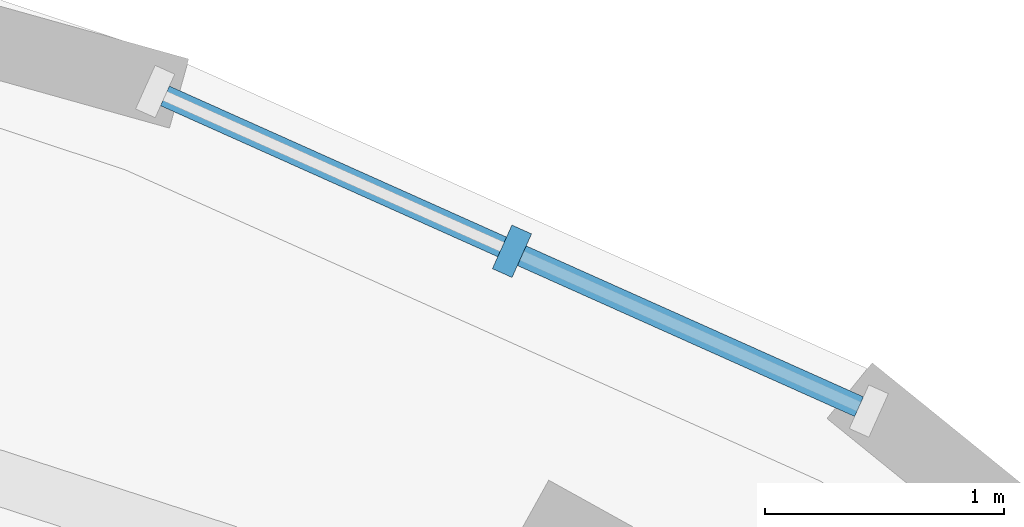
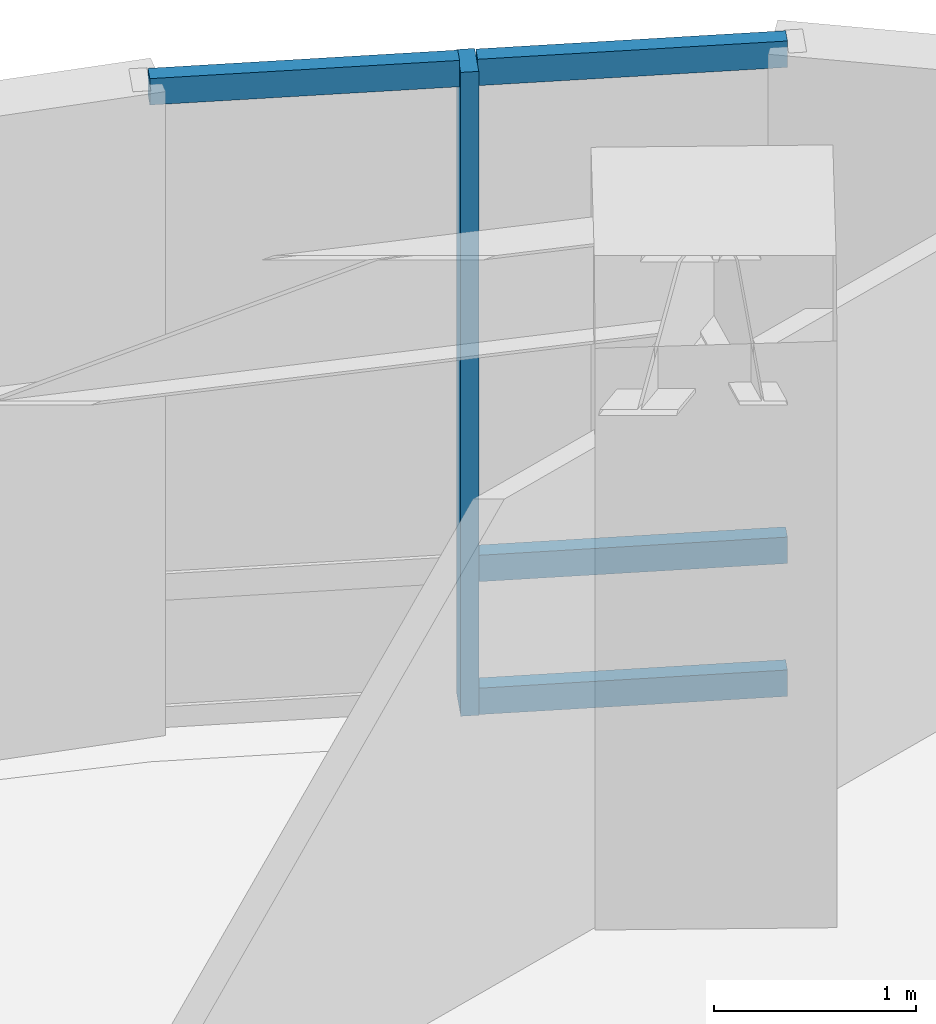
# One storey, part 6 of 12: 5 members, 1 element without a shape of its own.
"""IFC4 building model written with IfcOpenShell, lengths in metres."""

from ifc_helpers import new_model, si_unit, direction, frame, origin, origin_2d, place, context, subcontext, project, spatial, rectangle, extrude, material, layer, layer_set, material_profile, profile_set, type_object, element, aggregate, save


model = new_model("IFC4")

# Units and contexts
model_context = context("Model", 3, precision=1e-05, world=origin(), true_north=direction((0.0, 1.0)))
body_context = subcontext(model_context, "Body", "Model", "MODEL_VIEW")
ifc_project = project(units=[si_unit("LENGTHUNIT", "METRE"), si_unit("AREAUNIT", "SQUARE_METRE"), si_unit("VOLUMEUNIT", "CUBIC_METRE"), si_unit("PLANEANGLEUNIT", "RADIAN"), si_unit("MASSUNIT", "GRAM", prefix="KILO")], contexts=[model_context])

# Site, building, storey
site_placement = place(None, origin())
site = spatial("IfcSite", under=ifc_project, at=site_placement, CompositionType="ELEMENT")
building_placement = place(site_placement, origin())
building = spatial("IfcBuilding", under=site, at=building_placement, Name="Korentha Bioscience Tower", CompositionType="ELEMENT")
storey_placement = place(building_placement, frame((0.0, 0.0, 136.199951171875)))
storey = spatial("IfcBuildingStorey", under=building, at=storey_placement, Name="L31", CompositionType="ELEMENT", Elevation=136.199951171875)

# Curtain wall, members
ifc_material_1 = material(Name="Thermally Broken Aluminium Frame", Category="aluminium")
ifc_layer = layer(ifc_material_1, 0.219970703125, Name="Thermally Broken Aluminium Frame")
ifc_layer_set = layer_set([ifc_layer], Name="Thermally Broken Aluminium Frame (CW-T1)")
curtain_wall_type = type_object("IfcCurtainWallType", Name="Standard Bioscience Lab Unitised Curtain Wall CW-T1", PredefinedType="USERDEFINED", material=ifc_layer_set)
curtain_wall_placement = place(storey_placement, origin())
curtain_wall = element("IfcCurtainWall", 1, at=curtain_wall_placement, inside=storey, type_object=curtain_wall_type, Name="L31 Curtain Wall 01", ObjectType="UNITISED", PredefinedType="USERDEFINED")
ifc_material_2 = material(Name="Anodised Aluminium 6063-T6", Category="aluminium")
ifc_material_profile_1 = material_profile(ifc_material_2, rectangle(XDim=0.090087890625, YDim=0.199951171875, at=origin_2d()), Name="Anodised Aluminium 6063-T6")
ifc_profile_set_1 = profile_set([ifc_material_profile_1], Name="Anodised Aluminium 6063-T6 (CW-MUL)")
member_type_1 = type_object("IfcMemberType", Name="Mullion RECT 90x200", PredefinedType="MULLION", material=ifc_profile_set_1)
member_1_placement = place(storey_placement, frame((48.871337890625, 45.72021484375, 0.0), z_axis=(0.0, 0.0, 1.0), x_axis=(-0.912686563127, 0.408660295952, 0.0)))
member_1 = element("IfcMember", 2, at=member_1_placement, type_object=member_type_1, Name="CW-L31-01 Mullion 2", PredefinedType="MULLION", context=body_context, shape_type="SweptSolid", body=[
    extrude(rectangle(XDim=0.090087890625, YDim=0.199951171875, at=origin_2d()), origin(), (0.0, 0.0, 1.0), 3.900146484375),
])
ifc_material_profile_2 = material_profile(ifc_material_2, rectangle(XDim=0.090087890625, YDim=0.159912109375, at=origin_2d()), Name="Anodised Aluminium 6063-T6")
ifc_profile_set_2 = profile_set([ifc_material_profile_2], Name="Anodised Aluminium 6063-T6 (CW-TRN)")
member_type_2 = type_object("IfcMemberType", Name="Transom RECT 90x160", PredefinedType="USERDEFINED", material=ifc_profile_set_2)
member_2_placement = place(storey_placement, frame((50.322998046875, 45.0703125, 0.045166015625), z_axis=(-0.912753156119, 0.408511537162, 0.0), x_axis=(-0.408511537162, -0.912753156119, 0.0)))
member_2 = element("IfcMember", 3, at=member_2_placement, type_object=member_type_2, Name="CW-L31-01 Bay 1 Transom 1", ObjectType="TRANSOM", PredefinedType="USERDEFINED", context=body_context, shape_type="SweptSolid", body=[
    extrude(rectangle(XDim=0.090087890625, YDim=0.159912109375, at=origin_2d()), origin(), (0.0, 0.0, 1.0), 1.54541015625),
])
member_3_placement = place(storey_placement, frame((50.322998046875, 45.0703125, 0.85009765625), z_axis=(-0.912753156119, 0.408511537162, 0.0), x_axis=(-0.408511537162, -0.912753156119, 0.0)))
member_3 = element("IfcMember", 4, at=member_3_placement, type_object=member_type_2, Name="CW-L31-01 Bay 1 Transom 2", ObjectType="TRANSOM", PredefinedType="USERDEFINED", context=body_context, shape_type="SweptSolid", body=[
    extrude(rectangle(XDim=0.090087890625, YDim=0.159912109375, at=origin_2d()), origin(), (0.0, 0.0, 1.0), 1.54541015625),
])
member_4_placement = place(storey_placement, frame((50.322998046875, 45.0703125, 3.85498046875), z_axis=(-0.912753156119, 0.408511537162, 0.0), x_axis=(-0.408511537162, -0.912753156119, 0.0)))
member_4 = element("IfcMember", 5, at=member_4_placement, type_object=member_type_2, Name="CW-L31-01 Bay 1 Transom 3", ObjectType="TRANSOM", PredefinedType="USERDEFINED", context=body_context, shape_type="SweptSolid", body=[
    extrude(rectangle(XDim=0.090087890625, YDim=0.159912109375, at=origin_2d()), origin(), (0.0, 0.0, 1.0), 1.54541015625),
])
member_5_placement = place(storey_placement, frame((48.830322265625, 45.738525390625, 3.85498046875), z_axis=(-0.912667864607, 0.408702053962, 0.0), x_axis=(-0.408702053962, -0.912667864607, 0.0)))
member_5 = element("IfcMember", 6, at=member_5_placement, type_object=member_type_2, Name="CW-L31-01 Bay 2 Transom 3", ObjectType="TRANSOM", PredefinedType="USERDEFINED", context=body_context, shape_type="SweptSolid", body=[
    extrude(rectangle(XDim=0.090087890625, YDim=0.159912109375, at=origin_2d()), origin(), (0.0, 0.0, 1.0), 1.54541015625),
])
aggregate(curtain_wall, [member_1, member_2, member_3, member_4, member_5])

save(model, "model.ifc")
